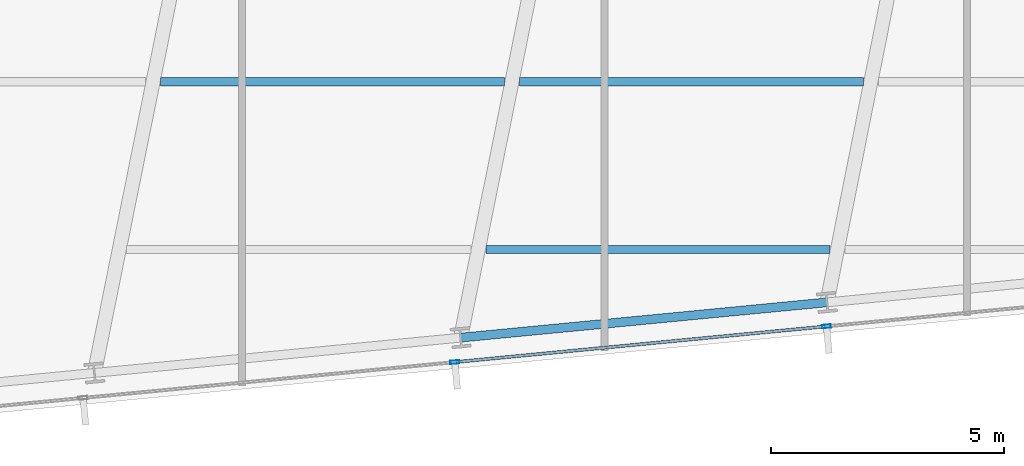
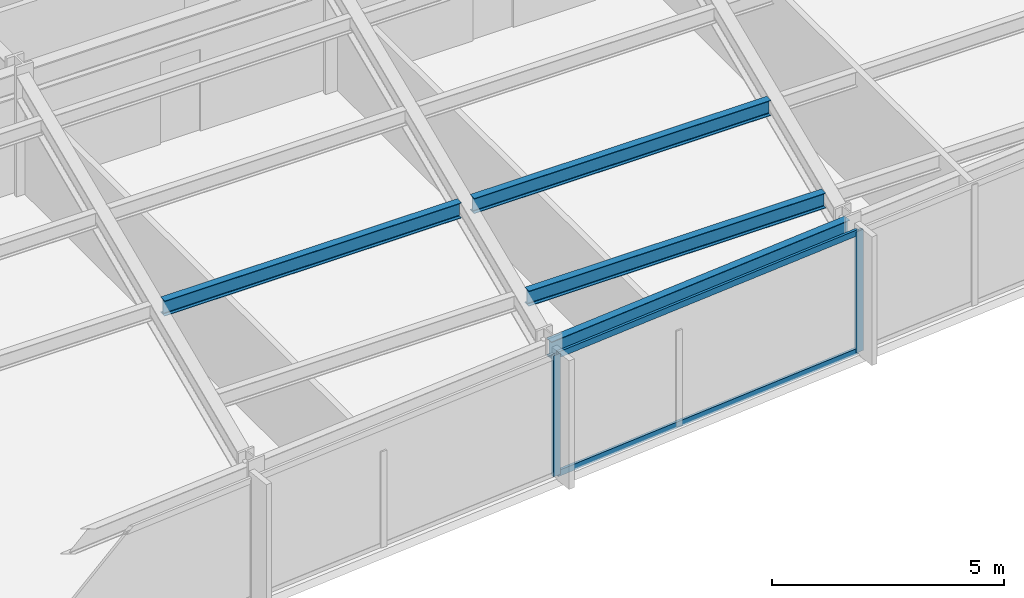
# One storey, part 4 of 32: 4 beams, 4 members, 1 element without a shape of its own.
"""IFC4 building model written with IfcOpenShell, lengths in metres."""

from ifc_helpers import new_model, si_unit, direction, frame, origin, origin_2d, place, context, subcontext, project, spatial, hollow_rectangle, i_section, extrude, material, material_profile, profile_set, type_object, element, aggregate, save


model = new_model("IFC4")

# Units and contexts
model_context = context("Model", 3, precision=1e-05, world=origin(), true_north=direction((0.0, 1.0)))
body_context = subcontext(model_context, "Body", "Model", "MODEL_VIEW")
ifc_project = project(units=[si_unit("LENGTHUNIT", "METRE"), si_unit("AREAUNIT", "SQUARE_METRE"), si_unit("VOLUMEUNIT", "CUBIC_METRE"), si_unit("PLANEANGLEUNIT", "RADIAN"), si_unit("MASSUNIT", "GRAM", prefix="KILO")], contexts=[model_context])

# Site, building, storey
site_placement = place(None, origin())
site = spatial("IfcSite", under=ifc_project, at=site_placement, CompositionType="ELEMENT")
building_placement = place(site_placement, origin())
building = spatial("IfcBuilding", under=site, at=building_placement, Name="Yelkora Congress Tower", CompositionType="ELEMENT")
storey_placement = place(building_placement, frame((0.0, 0.0, 93.10009765625)))
storey = spatial("IfcBuildingStorey", under=building, at=storey_placement, Name="L24", CompositionType="ELEMENT", Elevation=93.10009765625)

# Beams
ifc_material_1 = material(Name="Steel S355J2", Category="steel")
ifc_material_profile_1 = material_profile(ifc_material_1, i_section(OverallWidth=0.179931640625, OverallDepth=0.39990234375, WebThickness=0.008544921875, FlangeThickness=0.013427734375, FilletRadius=0.02099609375, at=origin_2d()), Name="IPE 400")
ifc_profile_set_1 = profile_set([ifc_material_profile_1], Name="Steel S355J2")
beam_type_1 = type_object("IfcBeamType", Name="BM-JOIST-IPE400", PredefinedType="JOIST", material=ifc_profile_set_1)
beam_1_placement = place(storey_placement, frame((36.023193359375, 12.54443359375, 2.97998046875), z_axis=(1.0, 0.0, 0.0), x_axis=(0.0, 1.0, 0.0)))
element("IfcBeam", 1, at=beam_1_placement, inside=storey, type_object=beam_type_1, Name="L24 Composite Floor Joist 2", PredefinedType="JOIST", context=body_context, shape_type="SweptSolid", body=[
    extrude(i_section(OverallWidth=0.179931640625, OverallDepth=0.39990234375, WebThickness=0.008544921875, FlangeThickness=0.013427734375, FilletRadius=0.02099609375, at=origin_2d()), origin(), (0.0, 0.0, 1.0), 7.37646484375),
])
beam_2_placement = place(storey_placement, frame((29.05419921875, 16.144287109375, 2.97998046875), z_axis=(1.0, 0.0, 0.0), x_axis=(0.0, 1.0, 0.0)))
element("IfcBeam", 2, at=beam_2_placement, inside=storey, type_object=beam_type_1, Name="L24 Composite Floor Joist 5", PredefinedType="JOIST", context=body_context, shape_type="SweptSolid", body=[
    extrude(i_section(OverallWidth=0.179931640625, OverallDepth=0.39990234375, WebThickness=0.008544921875, FlangeThickness=0.013427734375, FilletRadius=0.02099609375, at=origin_2d()), origin(), (0.0, 0.0, 1.0), 7.37060546875),
])
beam_3_placement = place(storey_placement, frame((36.744873046875, 16.144287109375, 2.97998046875), z_axis=(1.0, 0.0, 0.0), x_axis=(0.0, 1.0, 0.0)))
element("IfcBeam", 3, at=beam_3_placement, inside=storey, type_object=beam_type_1, Name="L24 Composite Floor Joist 6", PredefinedType="JOIST", context=body_context, shape_type="SweptSolid", body=[
    extrude(i_section(OverallWidth=0.179931640625, OverallDepth=0.39990234375, WebThickness=0.008544921875, FlangeThickness=0.013427734375, FilletRadius=0.02099609375, at=origin_2d()), origin(), (0.0, 0.0, 1.0), 7.371826171875),
])
ifc_material_profile_2 = material_profile(ifc_material_1, i_section(OverallWidth=0.18994140625, OverallDepth=0.449951171875, WebThickness=0.009521484375, FlangeThickness=0.0146484375, FilletRadius=0.02099609375, at=origin_2d()), Name="IPE 450")
ifc_profile_set_2 = profile_set([ifc_material_profile_2], Name="Steel S355J2")
beam_type_2 = type_object("IfcBeamType", Name="BM-SPAN-IPE450", PredefinedType="SPANDREL", material=ifc_profile_set_2)
beam_4_placement = place(storey_placement, frame((35.48486328125, 10.656005859375, 2.954833984375), z_axis=(0.995395575667, 0.095852219286, 0.0), x_axis=(-0.095852219286, 0.995395575667, 0.0)))
element("IfcBeam", 4, at=beam_4_placement, inside=storey, type_object=beam_type_2, Name="L24 Perimeter Beam 5", PredefinedType="SPANDREL", context=body_context, shape_type="SweptSolid", body=[
    extrude(i_section(OverallWidth=0.18994140625, OverallDepth=0.449951171875, WebThickness=0.009521484375, FlangeThickness=0.0146484375, FilletRadius=0.02099609375, at=origin_2d()), origin(), (0.0, 0.0, 1.0), 7.8857421875),
])

# Curtain wall, members
ifc_material_2 = material(Name="Anodised aluminium and insulated glass", Category="aluminium")
curtain_wall_type = type_object("IfcCurtainWallType", Name="CW-SYS-B2", PredefinedType="NOTDEFINED", material=ifc_material_2)
curtain_wall_placement = place(storey_placement, origin())
curtain_wall = element("IfcCurtainWall", 5, at=curtain_wall_placement, inside=storey, type_object=curtain_wall_type, Name="L24 Unitised Curtain Wall 20", PredefinedType="NOTDEFINED")
ifc_material_3 = material(Name="Anodised aluminium 6063-T6", Category="aluminium")
ifc_material_profile_3 = material_profile(ifc_material_3, hollow_rectangle(XDim=0.070068359375, YDim=0.18994140625, WallThickness=0.00390625, at=origin_2d()), Name="ALU 70x190x4")
ifc_profile_set_3 = profile_set([ifc_material_profile_3], Name="Anodised aluminium 6063-T6")
member_type_1 = type_object("IfcMemberType", Name="MEM-ML-B2", PredefinedType="MULLION", material=ifc_profile_set_3)
member_1_placement = place(storey_placement, frame((43.32470703125, 10.898681640625, 0.0), z_axis=(0.0, 0.0, 1.0), x_axis=(0.095844345816, -0.995396333816, 0.0)))
member_1 = element("IfcMember", 6, at=member_1_placement, type_object=member_type_1, Name="CW-B2 mullion 5", PredefinedType="MULLION", context=body_context, shape_type="SweptSolid", body=[
    extrude(hollow_rectangle(XDim=0.070068359375, YDim=0.18994140625, WallThickness=0.00390625, at=origin_2d()), origin(), (0.0, 0.0, 1.0), 3.179931640625),
])
member_2_placement = place(storey_placement, frame((35.358642578125, 10.131591796875, 0.0), z_axis=(0.0, 0.0, 1.0), x_axis=(0.095844345816, -0.995396333816, 0.0)))
member_2 = element("IfcMember", 7, at=member_2_placement, type_object=member_type_1, Name="CW-B2 mullion 6", PredefinedType="MULLION", context=body_context, shape_type="SweptSolid", body=[
    extrude(hollow_rectangle(XDim=0.070068359375, YDim=0.18994140625, WallThickness=0.00390625, at=origin_2d()), origin(), (0.0, 0.0, 1.0), 3.179931640625),
])
ifc_material_profile_4 = material_profile(ifc_material_3, hollow_rectangle(XDim=0.06494140625, YDim=0.159912109375, WallThickness=0.00390625, at=origin_2d()), Name="ALU 65x160x4")
ifc_profile_set_4 = profile_set([ifc_material_profile_4], Name="Anodised aluminium 6063-T6")
member_type_2 = type_object("IfcMemberType", Name="MEM-TR-B2", PredefinedType="USERDEFINED", material=ifc_profile_set_4)
member_3_placement = place(storey_placement, frame((43.289794921875, 10.895263671875, 0.032470703125), z_axis=(-0.995397010735, -0.095837315383, 0.0), x_axis=(0.095837315383, -0.995397010735, 0.0)))
member_3 = element("IfcMember", 8, at=member_3_placement, type_object=member_type_2, Name="CW-B2 transom 5.1", ObjectType="TRANSOM", PredefinedType="USERDEFINED", context=body_context, shape_type="SweptSolid", body=[
    extrude(hollow_rectangle(XDim=0.06494140625, YDim=0.159912109375, WallThickness=0.00390625, at=origin_2d()), origin(), (0.0, 0.0, 1.0), 7.932861328125),
])
member_4_placement = place(storey_placement, frame((43.289794921875, 10.895263671875, 3.1474609375), z_axis=(-0.995397010735, -0.095837315383, 0.0), x_axis=(0.095837315383, -0.995397010735, 0.0)))
member_4 = element("IfcMember", 9, at=member_4_placement, type_object=member_type_2, Name="CW-B2 transom 5.2", ObjectType="TRANSOM", PredefinedType="USERDEFINED", context=body_context, shape_type="SweptSolid", body=[
    extrude(hollow_rectangle(XDim=0.06494140625, YDim=0.159912109375, WallThickness=0.00390625, at=origin_2d()), origin(), (0.0, 0.0, 1.0), 7.932861328125),
])
aggregate(curtain_wall, [member_1, member_2, member_3, member_4])

save(model, "model.ifc")
